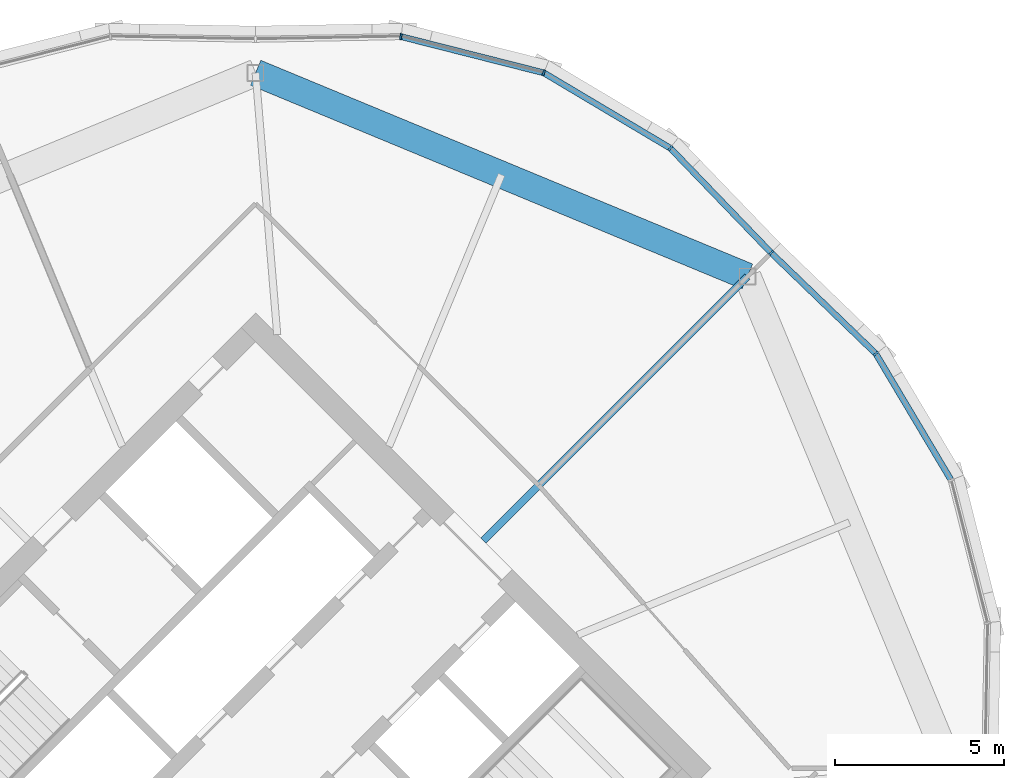
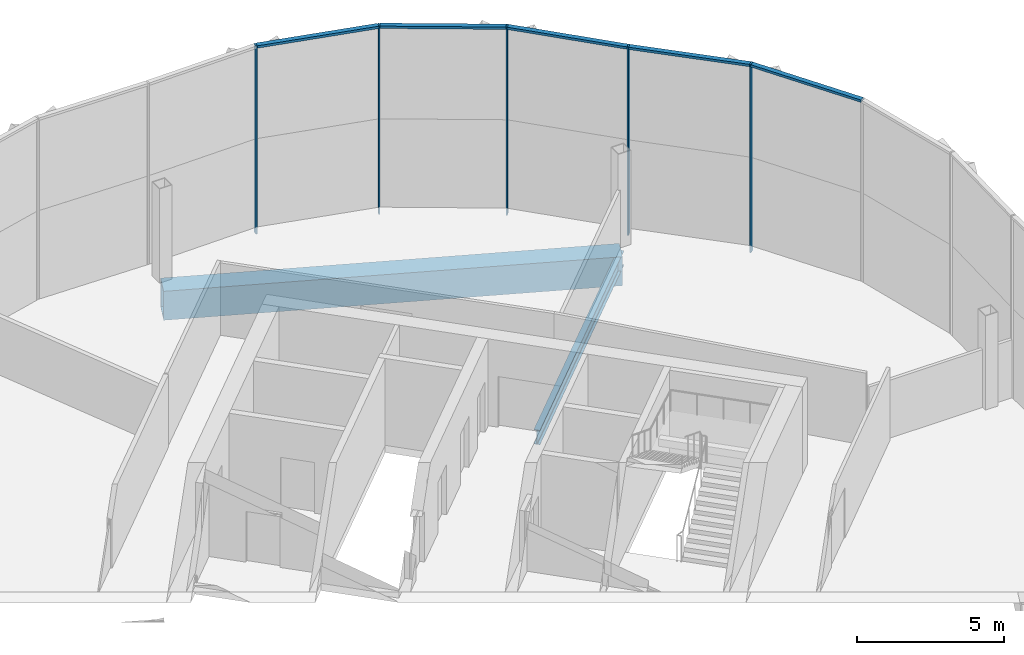
# One storey, part 15 of 27: 10 members, 2 beams, 2 elements without a shape of their own.
"""IFC4 building model written with IfcOpenShell, lengths in metres."""

from ifc_helpers import new_model, si_unit, direction, frame, origin, origin_2d, place, context, subcontext, project, spatial, rectangle, hollow_rectangle, i_section, extrude, material, material_profile, profile_set, type_object, element, aggregate, save


model = new_model("IFC4")

# Units and contexts
model_context = context("Model", 3, precision=1e-05, world=origin(), true_north=direction((0.0, 1.0)))
body_context = subcontext(model_context, "Body", "Model", "MODEL_VIEW")
ifc_project = project(units=[si_unit("LENGTHUNIT", "METRE"), si_unit("AREAUNIT", "SQUARE_METRE"), si_unit("VOLUMEUNIT", "CUBIC_METRE"), si_unit("PLANEANGLEUNIT", "RADIAN"), si_unit("MASSUNIT", "GRAM", prefix="KILO")], contexts=[model_context])

# Site, building, storey
site_placement = place(None, origin())
site = spatial("IfcSite", under=ifc_project, at=site_placement, CompositionType="ELEMENT")
building_placement = place(site_placement, origin())
building = spatial("IfcBuilding", under=site, at=building_placement, Name="Ogive Gate Towers", CompositionType="ELEMENT")
storey_placement = place(building_placement, frame((0.0, 0.0, 189.0)))
storey = spatial("IfcBuildingStorey", under=building, at=storey_placement, Name="L45", CompositionType="ELEMENT", Elevation=189.0)

# Beams
ifc_material_1 = material(Name="Steel SM460", Category="steel")
ifc_material_profile_1 = material_profile(ifc_material_1, hollow_rectangle(XDim=0.800048828125, YDim=1.199951171875, WallThickness=0.050048828125, at=origin_2d()), Name="BX 1200x800x50")
ifc_profile_set_1 = profile_set([ifc_material_profile_1], Name="Steel SM460")
beam_type_1 = type_object("IfcBeamType", Name="Edge girder BX 1200x800x50", PredefinedType="BEAM", material=ifc_profile_set_1)
beam_1_placement = place(storey_placement, frame((50.509765625, 14.509765625, -0.89990234375), z_axis=(-0.923877006731, 0.38268953008, 0.0), x_axis=(-0.38268953008, -0.923877006731, 0.0)))
element("IfcBeam", 1, at=beam_1_placement, inside=storey, type_object=beam_type_1, Name="T2/L45/SBM021", PredefinedType="BEAM", context=body_context, shape_type="SweptSolid", body=[
    extrude(hollow_rectangle(XDim=0.800048828125, YDim=1.199951171875, WallThickness=0.050048828125, at=origin_2d()), origin(), (0.0, 0.0, 1.0), 15.705322265625),
])
ifc_material_2 = material(Name="Steel SM355", Category="steel")
ifc_material_profile_2 = material_profile(ifc_material_2, i_section(OverallWidth=0.219970703125, OverallDepth=0.60009765625, WebThickness=0.011962890625, FlangeThickness=0.01904296875, FilletRadius=0.02392578125, at=origin_2d()), Name="IPE 600")
ifc_profile_set_2 = profile_set([ifc_material_profile_2], Name="Steel SM355")
beam_type_2 = type_object("IfcBeamType", Name="Radial floor beam IPE 600", PredefinedType="BEAM", material=ifc_profile_set_2)
beam_2_placement = place(storey_placement, frame((42.717529296875, 6.717529296875, -0.60009765625), z_axis=(0.707106781187, 0.707106781187, 0.0), x_axis=(-0.707106781187, 0.707106781187, 0.0)))
element("IfcBeam", 2, at=beam_2_placement, inside=storey, type_object=beam_type_2, Name="T2/L45/SBM009", PredefinedType="BEAM", context=body_context, shape_type="SweptSolid", body=[
    extrude(i_section(OverallWidth=0.219970703125, OverallDepth=0.60009765625, WebThickness=0.011962890625, FlangeThickness=0.01904296875, FilletRadius=0.02392578125, at=origin_2d()), origin(), (0.0, 0.0, 1.0), 11.019775390625),
])

# Curtain wall, members
ifc_material_3 = material(Name="Pale metal aluminium", Category="aluminium")
curtain_wall_type = type_object("IfcCurtainWallType", Name="Tower unitised wall, high zone", PredefinedType="NOTDEFINED", material=ifc_material_3)
curtain_wall_1_placement = place(storey_placement, origin())
curtain_wall_1 = element("IfcCurtainWall", 3, at=curtain_wall_1_placement, inside=storey, type_object=curtain_wall_type, Name="CW2 T2 ECW01", PredefinedType="NOTDEFINED")
ifc_material_profile_3 = material_profile(ifc_material_3, rectangle(XDim=0.179931640625, YDim=0.06005859375, at=origin_2d()), Name="60 x 180 aluminium box")
ifc_profile_set_3 = profile_set([ifc_material_profile_3], Name="Pale metal aluminium")
member_type_1 = type_object("IfcMemberType", Name="Tower unitised wall, high zone mullion 60 x 180", PredefinedType="MULLION", material=ifc_profile_set_3)
member_1_placement = place(storey_placement, frame((54.297119140625, 12.234619140625, -0.300048828125), z_axis=(0.0, 0.0, 1.0), x_axis=(0.783574191071, 0.621298227173, 0.0)))
member_1 = element("IfcMember", 4, at=member_1_placement, type_object=member_type_1, Name="CW2 mullion", PredefinedType="MULLION", context=body_context, shape_type="SweptSolid", body=[
    extrude(rectangle(XDim=0.179931640625, YDim=0.06005859375, at=origin_2d()), origin(), (0.0, 0.0, 1.0), 7.800048828125),
])
member_2_placement = place(storey_placement, frame((51.2099609375, 15.209716796875, -0.300048828125), z_axis=(0.0, 0.0, 1.0), x_axis=(0.693942400491, 0.720030516576, 0.0)))
member_2 = element("IfcMember", 5, at=member_2_placement, type_object=member_type_1, Name="CW2 mullion", PredefinedType="MULLION", context=body_context, shape_type="SweptSolid", body=[
    extrude(rectangle(XDim=0.179931640625, YDim=0.06005859375, at=origin_2d()), origin(), (0.0, 0.0, 1.0), 7.800048828125),
])

curtain_wall_2_placement = place(storey_placement, origin())
curtain_wall_2 = element("IfcCurtainWall", 6, at=curtain_wall_2_placement, inside=storey, type_object=curtain_wall_type, Name="CW2 T2 ECW02", PredefinedType="NOTDEFINED")
member_3_placement = place(storey_placement, frame((48.234619140625, 18.297119140625, -0.300048828125), z_axis=(0.0, 0.0, 1.0), x_axis=(0.621298227173, 0.783574191071, 0.0)))
member_3 = element("IfcMember", 7, at=member_3_placement, type_object=member_type_1, Name="CW2 mullion", PredefinedType="MULLION", context=body_context, shape_type="SweptSolid", body=[
    extrude(rectangle(XDim=0.179931640625, YDim=0.06005859375, at=origin_2d()), origin(), (0.0, 0.0, 1.0), 7.800048828125),
])
member_4_placement = place(storey_placement, frame((44.499755859375, 20.5205078125, -0.300048828125), z_axis=(0.0, 0.0, 1.0), x_axis=(0.382683432365, 0.923879532511, 0.0)))
member_4 = element("IfcMember", 8, at=member_4_placement, type_object=member_type_1, Name="CW2 mullion", PredefinedType="MULLION", context=body_context, shape_type="SweptSolid", body=[
    extrude(rectangle(XDim=0.179931640625, YDim=0.06005859375, at=origin_2d()), origin(), (0.0, 0.0, 1.0), 7.800048828125),
])
member_5_placement = place(storey_placement, frame((40.286865234375, 21.589111328125, -0.300048828125), z_axis=(0.0, 0.0, 1.0), x_axis=(0.114746434496, 0.993394813642, 0.0)))
member_5 = element("IfcMember", 9, at=member_5_placement, type_object=member_type_1, Name="CW2 mullion", PredefinedType="MULLION", context=body_context, shape_type="SweptSolid", body=[
    extrude(rectangle(XDim=0.179931640625, YDim=0.06005859375, at=origin_2d()), origin(), (0.0, 0.0, 1.0), 7.800048828125),
])

# Member
ifc_material_profile_4 = material_profile(ifc_material_3, rectangle(XDim=0.179931640625, YDim=0.10009765625, at=origin_2d()), Name="100 x 180 aluminium box")
ifc_profile_set_4 = profile_set([ifc_material_profile_4], Name="Pale metal aluminium")
member_type_2 = type_object("IfcMemberType", Name="Tower unitised wall, high zone transom 100 x 180", PredefinedType="USERDEFINED", material=ifc_profile_set_4)
member_6_placement = place(storey_placement, frame((56.505615234375, 8.5244140625, 7.449951171875), z_axis=(-0.511495868255, 0.859285736387, 0.0), x_axis=(-0.859285736387, -0.511495868255, 0.0)))
member_6 = element("IfcMember", 10, at=member_6_placement, type_object=member_type_2, Name="CW2 transom", ObjectType="TRANSOM", PredefinedType="USERDEFINED", context=body_context, shape_type="SweptSolid", body=[
    extrude(rectangle(XDim=0.179931640625, YDim=0.10009765625, at=origin_2d()), origin(), (0.0, 0.0, 1.0), 4.2890625),
])

member_7_placement = place(storey_placement, frame((54.2763671875, 12.25439453125, 7.449951171875), z_axis=(-0.720006031483, 0.693967805182, 0.0), x_axis=(-0.693967805182, -0.720006031483, 0.0)))
member_7 = element("IfcMember", 11, at=member_7_placement, type_object=member_type_2, Name="CW2 transom", ObjectType="TRANSOM", PredefinedType="USERDEFINED", context=body_context, shape_type="SweptSolid", body=[
    extrude(rectangle(XDim=0.179931640625, YDim=0.10009765625, at=origin_2d()), origin(), (0.0, 0.0, 1.0), 4.228759765625),
])

aggregate(curtain_wall_1, [member_1, member_6, member_2, member_7])

member_8_placement = place(storey_placement, frame((51.18896484375, 15.231689453125, 7.449951171875), z_axis=(-0.693967805182, 0.720006031483, 0.0), x_axis=(-0.720006031483, -0.693967805182, 0.0)))
member_8 = element("IfcMember", 12, at=member_8_placement, type_object=member_type_2, Name="CW2 transom", ObjectType="TRANSOM", PredefinedType="USERDEFINED", context=body_context, shape_type="SweptSolid", body=[
    extrude(rectangle(XDim=0.179931640625, YDim=0.10009765625, at=origin_2d()), origin(), (0.0, 0.0, 1.0), 4.228759765625),
])

member_9_placement = place(storey_placement, frame((48.2099609375, 18.311767578125, 7.449951171875), z_axis=(-0.859285736387, 0.511495868255, 0.0), x_axis=(-0.511495868255, -0.859285736387, 0.0)))
member_9 = element("IfcMember", 13, at=member_9_placement, type_object=member_type_2, Name="CW2 transom", ObjectType="TRANSOM", PredefinedType="USERDEFINED", context=body_context, shape_type="SweptSolid", body=[
    extrude(rectangle(XDim=0.179931640625, YDim=0.10009765625, at=origin_2d()), origin(), (0.0, 0.0, 1.0), 4.2890625),
])

member_10_placement = place(storey_placement, frame((44.47216796875, 20.52734375, 7.449951171875), z_axis=(-0.969309829434, 0.245842336798, 0.0), x_axis=(-0.245842336798, -0.969309829434, 0.0)))
member_10 = element("IfcMember", 14, at=member_10_placement, type_object=member_type_2, Name="CW2 transom", ObjectType="TRANSOM", PredefinedType="USERDEFINED", context=body_context, shape_type="SweptSolid", body=[
    extrude(rectangle(XDim=0.179931640625, YDim=0.10009765625, at=origin_2d()), origin(), (0.0, 0.0, 1.0), 4.2890625),
])

aggregate(curtain_wall_2, [member_3, member_8, member_4, member_9, member_5, member_10])

save(model, "model.ifc")
